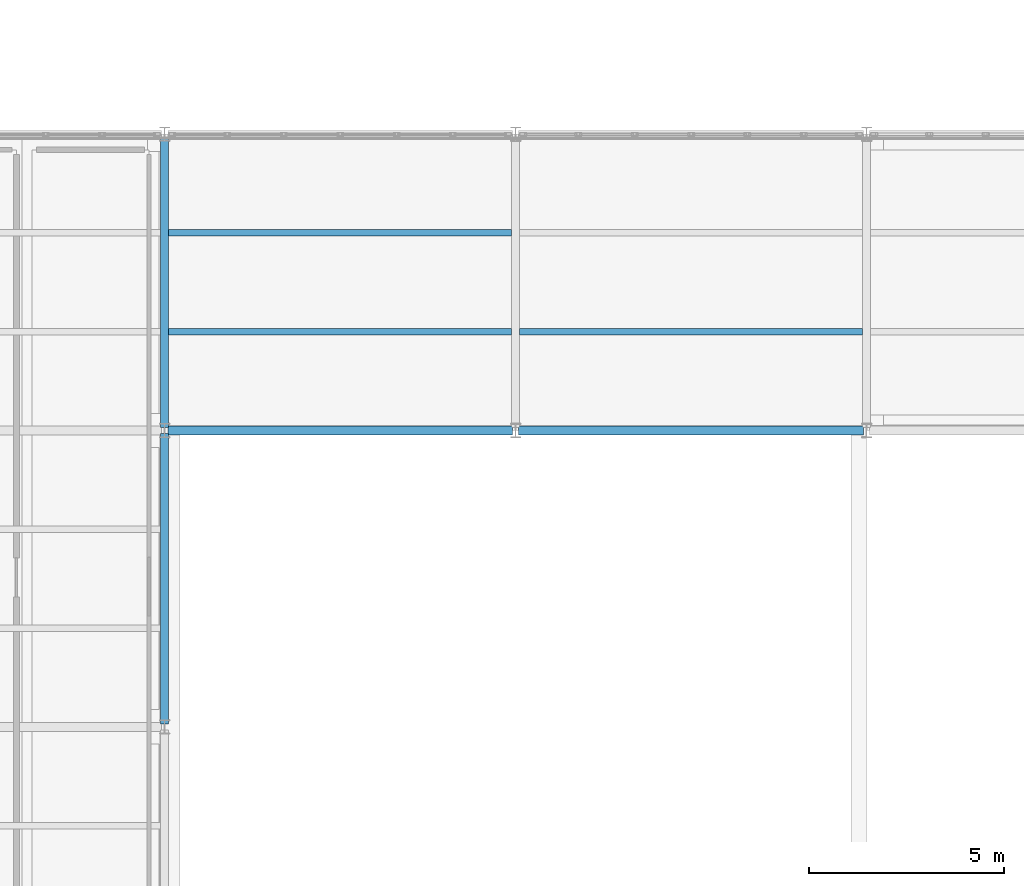
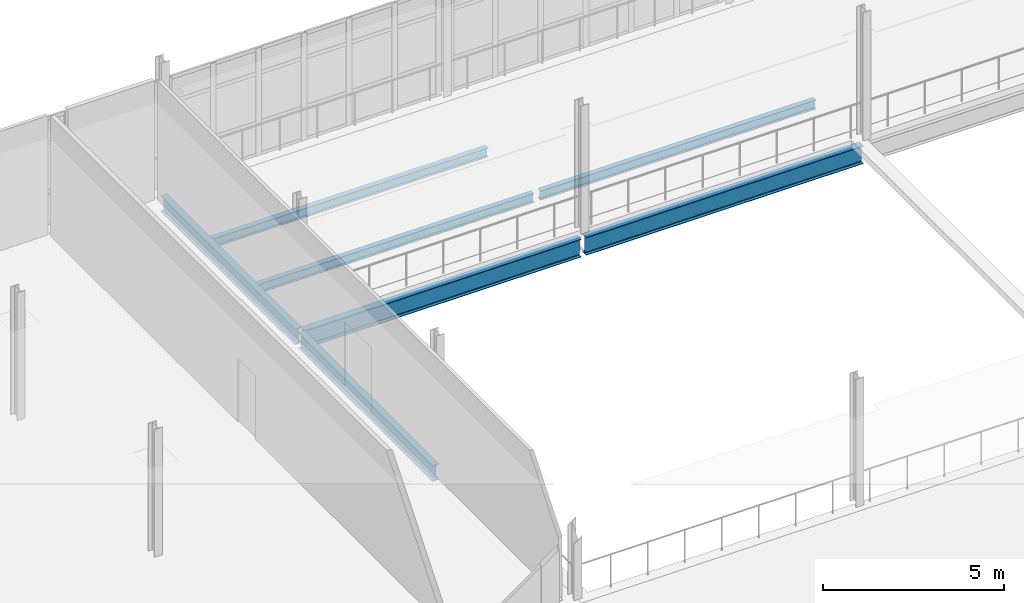
# One storey, part 44 of 174: 7 beams.
"""IFC4 building model written with IfcOpenShell, lengths in metres."""

from ifc_helpers import new_model, si_unit, direction, frame, origin, origin_2d, place, context, subcontext, project, spatial, i_section, extrude, material, material_profile, profile_set, type_object, element, save


model = new_model("IFC4")

# Units and contexts
model_context = context("Model", 3, precision=1e-05, world=origin(), true_north=direction((0.0, 1.0)))
body_context = subcontext(model_context, "Body", "Model", "MODEL_VIEW")
ifc_project = project(units=[si_unit("LENGTHUNIT", "METRE"), si_unit("AREAUNIT", "SQUARE_METRE"), si_unit("VOLUMEUNIT", "CUBIC_METRE"), si_unit("PLANEANGLEUNIT", "RADIAN"), si_unit("MASSUNIT", "GRAM", prefix="KILO")], contexts=[model_context])

# Site, building, storey
site_placement = place(None, origin())
site = spatial("IfcSite", under=ifc_project, at=site_placement, CompositionType="ELEMENT")
building_placement = place(site_placement, origin())
building = spatial("IfcBuilding", under=site, at=building_placement, Name="Caisbarro Railhouse Central Library", CompositionType="ELEMENT")
storey_placement = place(building_placement, frame((0.0, 0.0, 5.0400390625)))
storey = spatial("IfcBuildingStorey", under=building, at=storey_placement, Name="L01", CompositionType="ELEMENT", Elevation=5.0400390625)

# Beams
ifc_material = material(Name="Steel ASTM A572 Grade 50", Category="steel")
ifc_material_profile_1 = material_profile(ifc_material, i_section(OverallWidth=0.22802734375, OverallDepth=0.60791015625, WebThickness=0.01123046875, FlangeThickness=0.017333984375, FilletRadius=0.02197265625, at=origin_2d()), Name="W610X113.0")
ifc_profile_set_1 = profile_set([ifc_material_profile_1], Name="Steel ASTM A572 Grade 50")
beam_type_1 = type_object("IfcBeamType", Name="BM-G04", PredefinedType="BEAM", material=ifc_profile_set_1)
for number, where, z_axis, x_axis, name in (
    (1, (18.080078125, 53.199951171875, -0.52392578125), (1.0, 0.0, 0.0), (0.0, 1.0, 0.0), "G04 beam L01 #811"),
    (2, (27.080078125, 53.199951171875, -0.52392578125), (1.0, 0.0, 0.0), (0.0, 1.0, 0.0), "G04 beam L01 #812"),
):
    element("IfcBeam", number, at=place(storey_placement, frame(where, z_axis=z_axis, x_axis=x_axis)), inside=storey, type_object=beam_type_1, Name=name, PredefinedType="BEAM", context=body_context, shape_type="SweptSolid", body=[
        extrude(i_section(OverallWidth=0.22802734375, OverallDepth=0.60791015625, WebThickness=0.01123046875, FlangeThickness=0.017333984375, FilletRadius=0.02197265625, at=origin_2d()), origin(), (0.0, 0.0, 1.0), 8.83984375),
    ])
ifc_material_profile_2 = material_profile(ifc_material, i_section(OverallWidth=0.208984375, OverallDepth=0.532958984375, WebThickness=0.01025390625, FlangeThickness=0.015625, FilletRadius=0.02001953125, at=origin_2d()), Name="W530X92.0")
ifc_profile_set_2 = profile_set([ifc_material_profile_2], Name="Steel ASTM A572 Grade 50")
beam_type_2 = type_object("IfcBeamType", Name="BM-G06", PredefinedType="BEAM", material=ifc_profile_set_2)
beam_1_placement = place(storey_placement, frame((18.0, 45.679931640625, -0.486572265625), z_axis=(0.0, 1.0, 0.0), x_axis=(-1.0, 0.0, 0.0)))
element("IfcBeam", 3, at=beam_1_placement, inside=storey, type_object=beam_type_2, Name="G06 beam L01 #835", PredefinedType="BEAM", context=body_context, shape_type="SweptSolid", body=[
    extrude(i_section(OverallWidth=0.208984375, OverallDepth=0.532958984375, WebThickness=0.01025390625, FlangeThickness=0.015625, FilletRadius=0.02001953125, at=origin_2d()), origin(), (0.0, 0.0, 1.0), 7.440185546875),
])
beam_2_placement = place(storey_placement, frame((18.0, 53.280029296875, -0.486572265625), z_axis=(0.0, 1.0, 0.0), x_axis=(-1.0, 0.0, 0.0)))
element("IfcBeam", 4, at=beam_2_placement, inside=storey, type_object=beam_type_2, Name="G06 beam L01 #836", PredefinedType="BEAM", context=body_context, shape_type="SweptSolid", body=[
    extrude(i_section(OverallWidth=0.208984375, OverallDepth=0.532958984375, WebThickness=0.01025390625, FlangeThickness=0.015625, FilletRadius=0.02001953125, at=origin_2d()), origin(), (0.0, 0.0, 1.0), 7.43994140625),
])
ifc_material_profile_3 = material_profile(ifc_material, i_section(OverallWidth=0.1650390625, OverallDepth=0.31005859375, WebThickness=0.005859375, FlangeThickness=0.009765625, FilletRadius=0.011962890625, at=origin_2d()), Name="W310X38.7")
ifc_profile_set_3 = profile_set([ifc_material_profile_3], Name="Steel ASTM A572 Grade 50")
beam_type_3 = type_object("IfcBeamType", Name="BM-J03", PredefinedType="JOIST", material=ifc_profile_set_3)
for number, where, z_axis, x_axis, name in (
    (5, (18.1044921875, 55.7333984375, -0.375), (1.0, 0.0, 0.0), (0.0, 1.0, 0.0), "J03 beam L01 #873"),
    (6, (18.1044921875, 58.2666015625, -0.375), (1.0, 0.0, 0.0), (0.0, 1.0, 0.0), "J03 beam L01 #874"),
    (7, (27.1044921875, 55.7333984375, -0.375), (1.0, 0.0, 0.0), (0.0, 1.0, 0.0), "J03 beam L01 #877"),
):
    element("IfcBeam", number, at=place(storey_placement, frame(where, z_axis=z_axis, x_axis=x_axis)), inside=storey, type_object=beam_type_3, Name=name, PredefinedType="JOIST", context=body_context, shape_type="SweptSolid", body=[
        extrude(i_section(OverallWidth=0.1650390625, OverallDepth=0.31005859375, WebThickness=0.005859375, FlangeThickness=0.009765625, FilletRadius=0.011962890625, at=origin_2d()), origin(), (0.0, 0.0, 1.0), 8.791015625),
    ])

save(model, "model.ifc")
